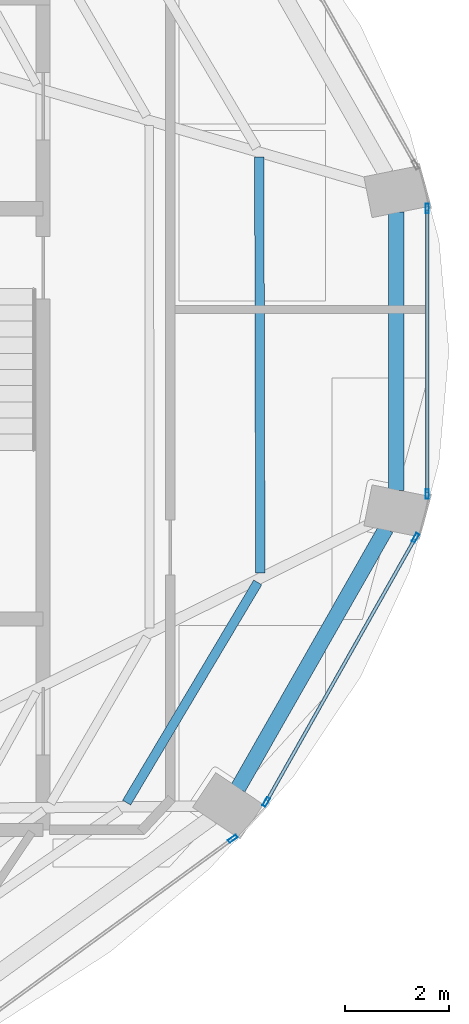
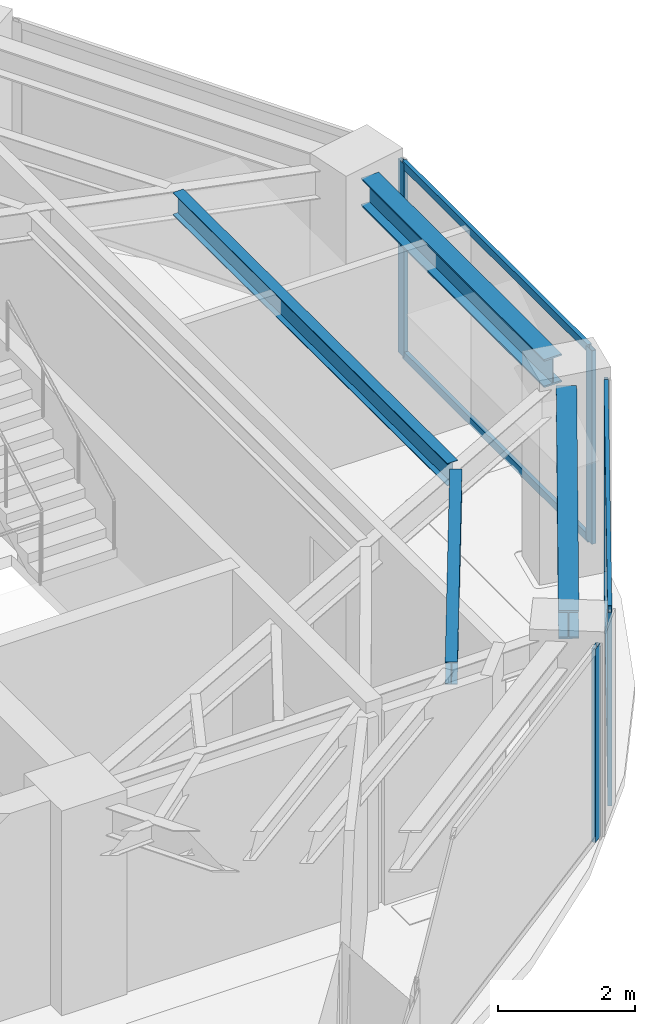
# One storey, part 5 of 12: 9 members, 4 beams, 3 elements without a shape of their own.
"""IFC4 building model written with IfcOpenShell, lengths in metres."""

from ifc_helpers import new_model, si_unit, direction, frame, origin, origin_2d, place, context, subcontext, project, spatial, hollow_rectangle, i_section, extrude, material, layer, layer_set, material_profile, profile_set, type_object, element, aggregate, save


model = new_model("IFC4")

# Units and contexts
model_context = context("Model", 3, precision=1e-05, world=origin(), true_north=direction((0.0, 1.0)))
body_context = subcontext(model_context, "Body", "Model", "MODEL_VIEW")
ifc_project = project(units=[si_unit("LENGTHUNIT", "METRE"), si_unit("AREAUNIT", "SQUARE_METRE"), si_unit("VOLUMEUNIT", "CUBIC_METRE"), si_unit("PLANEANGLEUNIT", "RADIAN"), si_unit("MASSUNIT", "GRAM", prefix="KILO")], contexts=[model_context])

# Site, building, storey
site_placement = place(None, origin())
site = spatial("IfcSite", under=ifc_project, at=site_placement, CompositionType="ELEMENT")
building_placement = place(site_placement, origin())
building = spatial("IfcBuilding", under=site, at=building_placement, Name="Lazwardi Medical Tower", CompositionType="ELEMENT")
storey_placement = place(building_placement, frame((0.0, 0.0, 287.85595703125)))
storey = spatial("IfcBuildingStorey", under=building, at=storey_placement, Name="L75", CompositionType="ELEMENT", Elevation=287.85595703125)

# Beams
ifc_material_1 = material(Name="Steel S355", Category="steel")
ifc_material_profile_1 = material_profile(ifc_material_1, i_section(OverallWidth=0.300048828125, OverallDepth=0.5, WebThickness=0.014404296875, FlangeThickness=0.028076171875, at=origin_2d()), Name="HEB 500")
ifc_profile_set_1 = profile_set([ifc_material_profile_1], Name="Steel S355")
beam_type_1 = type_object("IfcBeamType", Name="BM-RB-Z4", PredefinedType="BEAM", material=ifc_profile_set_1)
beam_1_placement = place(storey_placement, frame((54.15283203125, 20.81640625, 3.197998046875), z_axis=(0.495125273299, 0.868821594886, 0.0), x_axis=(-0.868821594886, 0.495125273299, 0.0)))
element("IfcBeam", 1, at=beam_1_placement, inside=storey, type_object=beam_type_1, Name="Ring beam RB-05 B03 L75", PredefinedType="BEAM", context=body_context, shape_type="SweptSolid", body=[
    extrude(i_section(OverallWidth=0.300048828125, OverallDepth=0.5, WebThickness=0.014404296875, FlangeThickness=0.028076171875, at=origin_2d()), origin(), (0.0, 0.0, 1.0), 5.734130859375),
])
beam_2_placement = place(storey_placement, frame((57.18505859375, 26.527099609375, 3.197998046875), z_axis=(0.0, 1.0, 0.0), x_axis=(-1.0, 0.0, 0.0)))
element("IfcBeam", 2, at=beam_2_placement, inside=storey, type_object=beam_type_1, Name="Ring beam RB-05 B04 L75", PredefinedType="BEAM", context=body_context, shape_type="SweptSolid", body=[
    extrude(i_section(OverallWidth=0.300048828125, OverallDepth=0.5, WebThickness=0.014404296875, FlangeThickness=0.028076171875, at=origin_2d()), origin(), (0.0, 0.0, 1.0), 5.345703125),
])
ifc_material_profile_2 = material_profile(ifc_material_1, i_section(OverallWidth=0.179931640625, OverallDepth=0.39990234375, WebThickness=0.008544921875, FlangeThickness=0.013427734375, at=origin_2d()), Name="IPE 400")
ifc_profile_set_2 = profile_set([ifc_material_profile_2], Name="Steel S355")
beam_type_2 = type_object("IfcBeamType", Name="BM-SJ-01", PredefinedType="JOIST", material=ifc_profile_set_2)
beam_3_placement = place(storey_placement, frame((52.015380859375, 20.54052734375, 3.248046875), z_axis=(0.511696806688, 0.859166094551, 0.0), x_axis=(-0.859166094551, 0.511696806688, 0.0)))
element("IfcBeam", 3, at=beam_3_placement, inside=storey, type_object=beam_type_2, Name="Secondary joist SJ-01 R1 B03 L75", PredefinedType="JOIST", context=body_context, shape_type="SweptSolid", body=[
    extrude(i_section(OverallWidth=0.179931640625, OverallDepth=0.39990234375, WebThickness=0.008544921875, FlangeThickness=0.013427734375, at=origin_2d()), origin(), (0.0, 0.0, 1.0), 4.917724609375),
])
beam_4_placement = place(storey_placement, frame((54.580078125, 24.942138671875, 3.248046875), z_axis=(-0.002538606287, 0.999996777734, 0.0), x_axis=(-0.999996777734, -0.002538606287, 0.0)))
element("IfcBeam", 4, at=beam_4_placement, inside=storey, type_object=beam_type_2, Name="Secondary joist SJ-01 R1 B04 L75", PredefinedType="JOIST", context=body_context, shape_type="SweptSolid", body=[
    extrude(i_section(OverallWidth=0.179931640625, OverallDepth=0.39990234375, WebThickness=0.008544921875, FlangeThickness=0.013427734375, at=origin_2d()), origin(), (0.0, 0.0, 1.0), 7.982177734375),
])

# Curtain wall, member
ifc_material_2 = material(Name="Anodised bronze aluminium and solar control glazing", Category="aluminium")
ifc_layer = layer(ifc_material_2, 0.18994140625)
ifc_layer_set = layer_set([ifc_layer], Name="Anodised bronze aluminium and solar control glazing")
curtain_wall_type = type_object("IfcCurtainWallType", Name="CW-SYS-04", PredefinedType="NOTDEFINED", material=ifc_layer_set)
curtain_wall_1_placement = place(storey_placement, origin())
curtain_wall_1 = element("IfcCurtainWall", 5, at=curtain_wall_1_placement, inside=storey, type_object=curtain_wall_type, Name="L75 Unitised bronze curtain wall CW-04", PredefinedType="NOTDEFINED")
ifc_material_3 = material(Name="Anodised bronze aluminium", Category="aluminium")
ifc_material_profile_3 = material_profile(ifc_material_3, hollow_rectangle(XDim=0.06494140625, YDim=0.179931640625, WallThickness=0.00390625, at=origin_2d()), Name="ALU-MULLION 180x65x4")
ifc_profile_set_3 = profile_set([ifc_material_profile_3], Name="Anodised bronze aluminium")
member_type_1 = type_object("IfcMemberType", Name="CW-MUL-03", PredefinedType="MULLION", material=ifc_profile_set_3)
member_1_placement = place(storey_placement, frame((54.052001953125, 19.848388671875, 0.0), z_axis=(0.0, 0.0, 1.0), x_axis=(-0.591268230971, 0.806474971121, 0.0)))
member_1 = element("IfcMember", 6, at=member_1_placement, type_object=member_type_1, Name="CW-04 mullion 2", PredefinedType="MULLION", context=body_context, shape_type="SweptSolid", body=[
    extrude(hollow_rectangle(XDim=0.06494140625, YDim=0.179931640625, WallThickness=0.00390625, at=origin_2d()), origin(), (0.0, 0.0, 1.0), 3.447998046875),
])
aggregate(curtain_wall_1, [member_1])

# Curtain wall, members
curtain_wall_2_placement = place(storey_placement, origin())
curtain_wall_2 = element("IfcCurtainWall", 7, at=curtain_wall_2_placement, inside=storey, type_object=curtain_wall_type, Name="L75 Unitised bronze curtain wall CW-04", PredefinedType="NOTDEFINED")
member_2_placement = place(storey_placement, frame((54.6943359375, 20.554443359375, 0.0), z_axis=(0.0, 0.0, 1.0), x_axis=(-0.870651436011, 0.491900474661, 0.0)))
member_2 = element("IfcMember", 8, at=member_2_placement, type_object=member_type_1, Name="CW-04 mullion 1", PredefinedType="MULLION", context=body_context, shape_type="SweptSolid", body=[
    extrude(hollow_rectangle(XDim=0.06494140625, YDim=0.179931640625, WallThickness=0.00390625, at=origin_2d()), origin(), (0.0, 0.0, 1.0), 3.447998046875),
])
member_3_placement = place(storey_placement, frame((57.557373046875, 25.621826171875, 0.0), z_axis=(0.0, 0.0, 1.0), x_axis=(-0.870651436011, 0.491900474661, 0.0)))
member_3 = element("IfcMember", 9, at=member_3_placement, type_object=member_type_1, Name="CW-04 mullion 2", PredefinedType="MULLION", context=body_context, shape_type="SweptSolid", body=[
    extrude(hollow_rectangle(XDim=0.06494140625, YDim=0.179931640625, WallThickness=0.00390625, at=origin_2d()), origin(), (0.0, 0.0, 1.0), 3.447998046875),
])

curtain_wall_3_placement = place(storey_placement, origin())
curtain_wall_3 = element("IfcCurtainWall", 10, at=curtain_wall_3_placement, inside=storey, type_object=curtain_wall_type, Name="L75 Unitised bronze curtain wall CW-04", PredefinedType="NOTDEFINED")
member_4_placement = place(storey_placement, frame((57.7841796875, 26.45947265625, 0.0), z_axis=(0.0, 0.0, 1.0), x_axis=(-1.0, 0.0, 0.0)))
member_4 = element("IfcMember", 11, at=member_4_placement, type_object=member_type_1, Name="CW-04 mullion 1", PredefinedType="MULLION", context=body_context, shape_type="SweptSolid", body=[
    extrude(hollow_rectangle(XDim=0.06494140625, YDim=0.179931640625, WallThickness=0.00390625, at=origin_2d()), origin(), (0.0, 0.0, 1.0), 3.447998046875),
])
member_5_placement = place(storey_placement, frame((57.7841796875, 31.9404296875, 0.0), z_axis=(0.0, 0.0, 1.0), x_axis=(-1.0, 0.0, 0.0)))
member_5 = element("IfcMember", 12, at=member_5_placement, type_object=member_type_1, Name="CW-04 mullion 2", PredefinedType="MULLION", context=body_context, shape_type="SweptSolid", body=[
    extrude(hollow_rectangle(XDim=0.06494140625, YDim=0.179931640625, WallThickness=0.00390625, at=origin_2d()), origin(), (0.0, 0.0, 1.0), 3.447998046875),
])

# Member
ifc_material_profile_4 = material_profile(ifc_material_3, hollow_rectangle(XDim=0.06494140625, YDim=0.139892578125, WallThickness=0.00341796875, at=origin_2d()), Name="ALU-TRANSOM 140x65x3.5")
ifc_profile_set_4 = profile_set([ifc_material_profile_4], Name="Anodised bronze aluminium")
member_type_2 = type_object("IfcMemberType", Name="CW-TRN-03", PredefinedType="USERDEFINED", material=ifc_profile_set_4)
member_6_placement = place(storey_placement, frame((54.71044921875, 20.582763671875, 0.032470703125), z_axis=(0.491879719484, 0.87066316194, 0.0), x_axis=(-0.87066316194, 0.491879719484, 0.0)))
member_6 = element("IfcMember", 13, at=member_6_placement, type_object=member_type_2, Name="CW-04 transom 1.1", ObjectType="TRANSOM", PredefinedType="USERDEFINED", context=body_context, shape_type="SweptSolid", body=[
    extrude(hollow_rectangle(XDim=0.06494140625, YDim=0.139892578125, WallThickness=0.00341796875, at=origin_2d()), origin(), (0.0, 0.0, 1.0), 5.755126953125),
])

member_7_placement = place(storey_placement, frame((54.71044921875, 20.582763671875, 3.41552734375), z_axis=(0.491879719484, 0.87066316194, 0.0), x_axis=(-0.87066316194, 0.491879719484, 0.0)))
member_7 = element("IfcMember", 14, at=member_7_placement, type_object=member_type_2, Name="CW-04 transom 1.2", ObjectType="TRANSOM", PredefinedType="USERDEFINED", context=body_context, shape_type="SweptSolid", body=[
    extrude(hollow_rectangle(XDim=0.06494140625, YDim=0.139892578125, WallThickness=0.00341796875, at=origin_2d()), origin(), (0.0, 0.0, 1.0), 5.755126953125),
])

aggregate(curtain_wall_2, [member_2, member_3, member_6, member_7])

member_8_placement = place(storey_placement, frame((57.7841796875, 26.491943359375, 0.032470703125), z_axis=(0.0, 1.0, 0.0), x_axis=(-1.0, 0.0, 0.0)))
member_8 = element("IfcMember", 15, at=member_8_placement, type_object=member_type_2, Name="CW-04 transom 1.1", ObjectType="TRANSOM", PredefinedType="USERDEFINED", context=body_context, shape_type="SweptSolid", body=[
    extrude(hollow_rectangle(XDim=0.06494140625, YDim=0.139892578125, WallThickness=0.00341796875, at=origin_2d()), origin(), (0.0, 0.0, 1.0), 5.416015625),
])

member_9_placement = place(storey_placement, frame((57.7841796875, 26.491943359375, 3.41552734375), z_axis=(0.0, 1.0, 0.0), x_axis=(-1.0, 0.0, 0.0)))
member_9 = element("IfcMember", 16, at=member_9_placement, type_object=member_type_2, Name="CW-04 transom 1.2", ObjectType="TRANSOM", PredefinedType="USERDEFINED", context=body_context, shape_type="SweptSolid", body=[
    extrude(hollow_rectangle(XDim=0.06494140625, YDim=0.139892578125, WallThickness=0.00341796875, at=origin_2d()), origin(), (0.0, 0.0, 1.0), 5.416015625),
])

aggregate(curtain_wall_3, [member_4, member_5, member_8, member_9])

save(model, "model.ifc")
